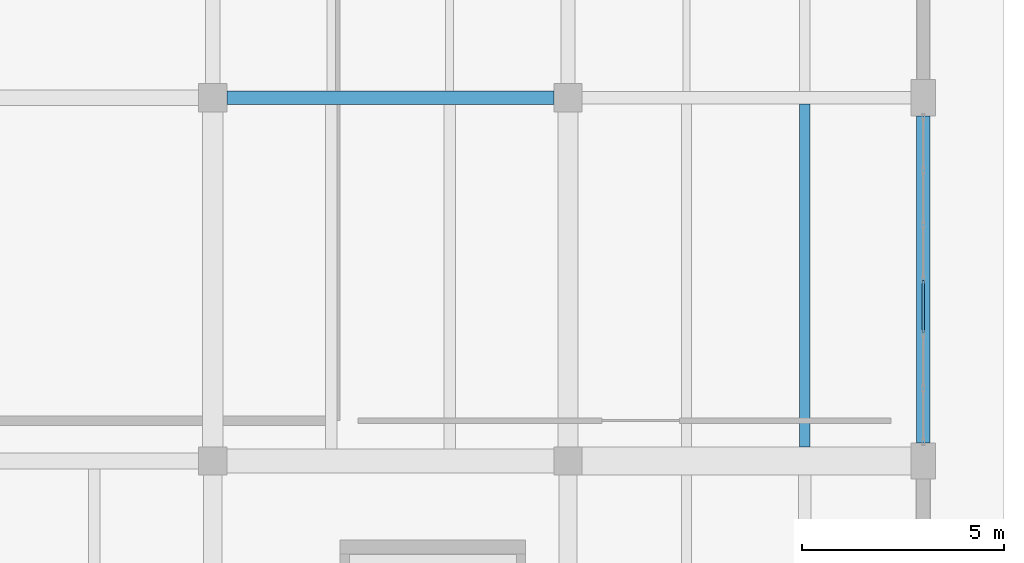
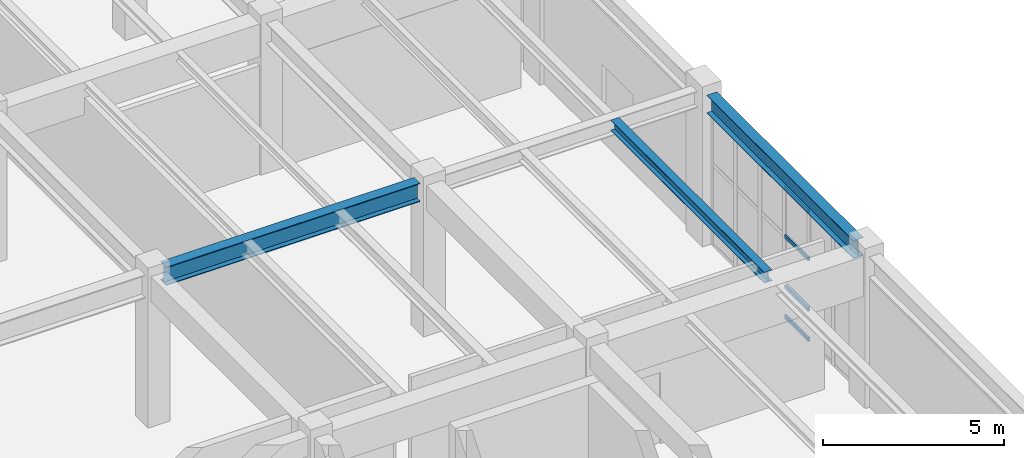
# One storey, part 57 of 91: 4 members, 3 beams, 1 element without a shape of its own.
"""IFC4 building model written with IfcOpenShell, lengths in metres."""

from ifc_helpers import new_model, si_unit, direction, frame, origin, origin_2d, place, context, subcontext, project, spatial, hollow_rectangle, i_section, extrude, material, layer, layer_set, material_profile, profile_set, type_object, element, aggregate, save


model = new_model("IFC4")

# Units and contexts
model_context = context("Model", 3, precision=1e-05, world=origin(), true_north=direction((0.0, 1.0)))
body_context = subcontext(model_context, "Body", "Model", "MODEL_VIEW")
ifc_project = project(units=[si_unit("LENGTHUNIT", "METRE"), si_unit("AREAUNIT", "SQUARE_METRE"), si_unit("VOLUMEUNIT", "CUBIC_METRE"), si_unit("PLANEANGLEUNIT", "RADIAN"), si_unit("MASSUNIT", "GRAM", prefix="KILO")], contexts=[model_context])

# Site, building, storey
site_placement = place(None, origin())
site = spatial("IfcSite", under=ifc_project, at=site_placement, CompositionType="ELEMENT")
building_placement = place(site_placement, origin())
building = spatial("IfcBuilding", under=site, at=building_placement, Name="Vaelkrest Opera House", CompositionType="ELEMENT")
storey_placement = place(building_placement, origin())
storey = spatial("IfcBuildingStorey", under=building, at=storey_placement, Name="L00", CompositionType="ELEMENT", Elevation=0.0)

# Beam
ifc_material_1 = material(Name="Steel A992 Gr50", Category="steel")
ifc_material_profile_1 = material_profile(ifc_material_1, i_section(OverallWidth=0.326904296875, OverallDepth=0.6220703125, WebThickness=0.015380859375, FlangeThickness=0.0244140625, at=origin_2d()), Name="W24X131")
ifc_profile_set_1 = profile_set([ifc_material_profile_1], Name="Steel A992 Gr50")
beam_type_1 = type_object("IfcBeamType", Name="B19", PredefinedType="BEAM", material=ifc_profile_set_1)
beam_1_placement = place(storey_placement, frame((69.14990234375, 1.199951171875, 4.76904296875), z_axis=(1.0, 0.0, 0.0), x_axis=(0.0, 1.0, 0.0)))
element("IfcBeam", 1, at=beam_1_placement, inside=storey, type_object=beam_type_1, Name="Beam BM-V4-L00-1971", PredefinedType="BEAM", context=body_context, shape_type="SweptSolid", body=[
    extrude(i_section(OverallWidth=0.326904296875, OverallDepth=0.6220703125, WebThickness=0.015380859375, FlangeThickness=0.0244140625, at=origin_2d()), origin(), (0.0, 0.0, 1.0), 8.10009765625),
])

# Curtain wall, members
ifc_material_2 = material(Name="Dark bronze anodized aluminium", Category="aluminium")
ifc_layer = layer(ifc_material_2, 0.179931640625)
ifc_layer_set = layer_set([ifc_layer], Name="Dark bronze anodized aluminium")
curtain_wall_type = type_object("IfcCurtainWallType", Name="CW01", PredefinedType="NOTDEFINED", material=ifc_layer_set)
curtain_wall_placement = place(storey_placement, origin())
curtain_wall = element("IfcCurtainWall", 2, at=curtain_wall_placement, inside=storey, type_object=curtain_wall_type, Name="Curtain wall CW-L00-152", PredefinedType="NOTDEFINED")
ifc_material_profile_2 = material_profile(ifc_material_2, hollow_rectangle(XDim=0.06494140625, YDim=0.139892578125, WallThickness=0.00390625, at=origin_2d()), Name="CWT65X140")
ifc_profile_set_2 = profile_set([ifc_material_profile_2], Name="Dark bronze anodized aluminium")
member_type = type_object("IfcMemberType", Name="CWT01", PredefinedType="USERDEFINED", material=ifc_profile_set_2)
member_1_placement = place(storey_placement, frame((86.39990234375, -3.33251953125, 0.032470703125), z_axis=(0.0, -1.0, 0.0), x_axis=(1.0, 0.0, 0.0)))
member_1 = element("IfcMember", 3, at=member_1_placement, type_object=member_type, Name="CW01 transom 4.1", ObjectType="TRANSOM", PredefinedType="USERDEFINED", context=body_context, shape_type="SweptSolid", body=[
    extrude(hollow_rectangle(XDim=0.06494140625, YDim=0.139892578125, WallThickness=0.00390625, at=origin_2d()), origin(), (0.0, 0.0, 1.0), 1.28564453125),
])
member_2_placement = place(storey_placement, frame((86.39990234375, -3.33251953125, 1.050048828125), z_axis=(0.0, -1.0, 0.0), x_axis=(1.0, 0.0, 0.0)))
member_2 = element("IfcMember", 4, at=member_2_placement, type_object=member_type, Name="CW01 transom 4.2", ObjectType="TRANSOM", PredefinedType="USERDEFINED", context=body_context, shape_type="SweptSolid", body=[
    extrude(hollow_rectangle(XDim=0.06494140625, YDim=0.139892578125, WallThickness=0.00390625, at=origin_2d()), origin(), (0.0, 0.0, 1.0), 1.28564453125),
])
member_3_placement = place(storey_placement, frame((86.39990234375, -3.33251953125, 2.75), z_axis=(0.0, -1.0, 0.0), x_axis=(1.0, 0.0, 0.0)))
member_3 = element("IfcMember", 5, at=member_3_placement, type_object=member_type, Name="CW01 transom 4.3", ObjectType="TRANSOM", PredefinedType="USERDEFINED", context=body_context, shape_type="SweptSolid", body=[
    extrude(hollow_rectangle(XDim=0.06494140625, YDim=0.139892578125, WallThickness=0.00390625, at=origin_2d()), origin(), (0.0, 0.0, 1.0), 1.28564453125),
])
member_4_placement = place(storey_placement, frame((86.39990234375, -3.33251953125, 4.37158203125), z_axis=(0.0, -1.0, 0.0), x_axis=(1.0, 0.0, 0.0)))
member_4 = element("IfcMember", 6, at=member_4_placement, type_object=member_type, Name="CW01 transom 4.4", ObjectType="TRANSOM", PredefinedType="USERDEFINED", context=body_context, shape_type="SweptSolid", body=[
    extrude(hollow_rectangle(XDim=0.06494140625, YDim=0.139892578125, WallThickness=0.00390625, at=origin_2d()), origin(), (0.0, 0.0, 1.0), 1.28564453125),
])
aggregate(curtain_wall, [member_1, member_2, member_3, member_4])

# Beams
ifc_material_profile_3 = material_profile(ifc_material_1, i_section(OverallWidth=0.257080078125, OverallDepth=0.363037109375, WebThickness=0.012939453125, FlangeThickness=0.021728515625, at=origin_2d()), Name="W14X82")
ifc_profile_set_3 = profile_set([ifc_material_profile_3], Name="Steel A992 Gr50")
beam_type_2 = type_object("IfcBeamType", Name="J06", PredefinedType="JOIST", material=ifc_profile_set_3)
beam_2_placement = place(storey_placement, frame((83.467041015625, -7.449951171875, 4.8984375), z_axis=(0.0, 1.0, 0.0), x_axis=(-1.0, 0.0, 0.0)))
element("IfcBeam", 7, at=beam_2_placement, inside=storey, type_object=beam_type_2, Name="Floor joist JST-V4-L00-2106", PredefinedType="JOIST", context=body_context, shape_type="SweptSolid", body=[
    extrude(i_section(OverallWidth=0.257080078125, OverallDepth=0.363037109375, WebThickness=0.012939453125, FlangeThickness=0.021728515625, at=origin_2d()), origin(), (0.0, 0.0, 1.0), 8.492431640625),
])
ifc_material_profile_4 = material_profile(ifc_material_1, i_section(OverallWidth=0.323974609375, OverallDepth=0.611083984375, WebThickness=0.0126953125, FlangeThickness=0.01904296875, at=origin_2d()), Name="W24X104")
ifc_profile_set_4 = profile_set([ifc_material_profile_4], Name="Steel A992 Gr50")
beam_type_3 = type_object("IfcBeamType", Name="SP01", PredefinedType="SPANDREL", material=ifc_profile_set_4)
beam_3_placement = place(storey_placement, frame((86.39990234375, -7.35009765625, 4.7744140625), z_axis=(0.0, 1.0, 0.0), x_axis=(-1.0, 0.0, 0.0)))
element("IfcBeam", 8, at=beam_3_placement, inside=storey, type_object=beam_type_3, Name="Beam BM-V4-L00-2040", PredefinedType="SPANDREL", context=body_context, shape_type="SweptSolid", body=[
    extrude(i_section(OverallWidth=0.323974609375, OverallDepth=0.611083984375, WebThickness=0.0126953125, FlangeThickness=0.01904296875, at=origin_2d()), origin(), (0.0, 0.0, 1.0), 8.10009765625),
])

save(model, "model.ifc")
